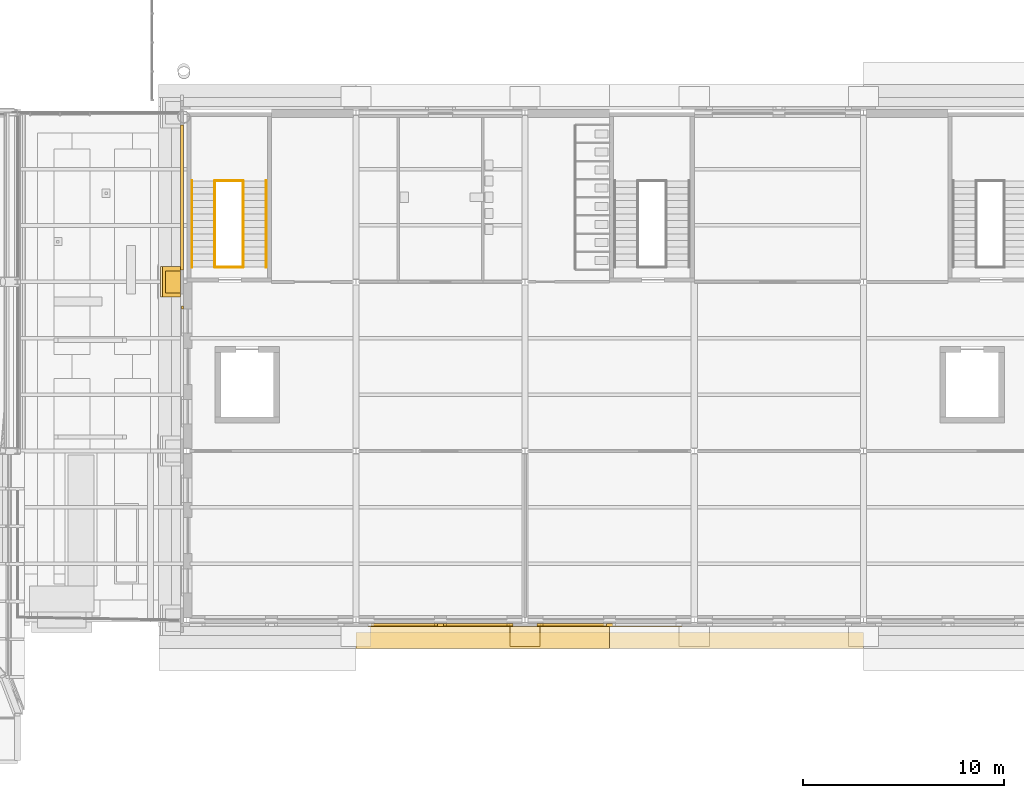
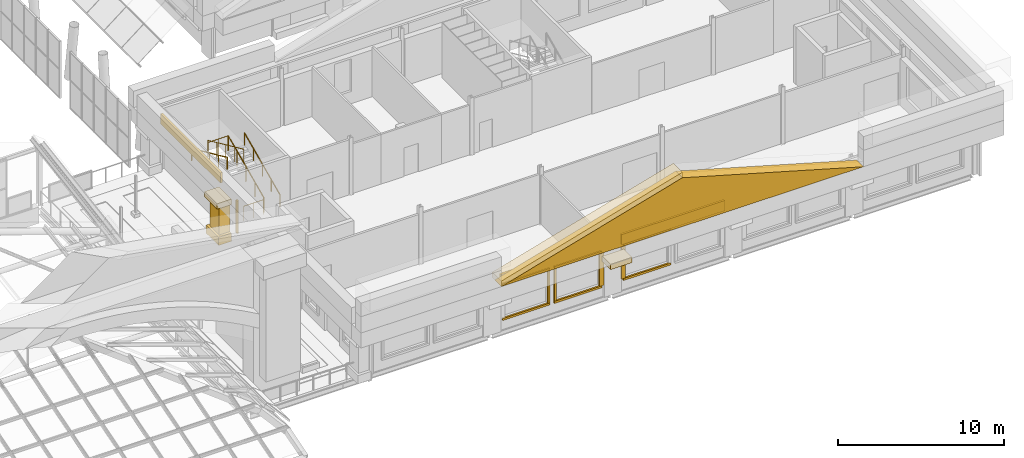
# One storey, part 60 of 76: 20 coverings, 6 railings.
"""IFC4 building model written with IfcOpenShell, lengths in metres."""

from ifc_helpers import new_model, si_unit, direction, frame, origin, origin_2d, place, context, subcontext, project, spatial, polyline, rectangle, circle, outline, extrude, material, layer, layer_set, type_object, element, save


model = new_model("IFC4")

# Units and contexts
model_context = context("Model", 3, precision=1e-05, world=origin(), true_north=direction((0.0, 1.0)))
body_context = subcontext(model_context, "Body", "Model", "MODEL_VIEW")
ifc_project = project(units=[si_unit("LENGTHUNIT", "METRE"), si_unit("AREAUNIT", "SQUARE_METRE"), si_unit("VOLUMEUNIT", "CUBIC_METRE"), si_unit("PLANEANGLEUNIT", "RADIAN"), si_unit("MASSUNIT", "GRAM", prefix="KILO")], contexts=[model_context])

# Site, building, storey
site_placement = place(None, origin())
site = spatial("IfcSite", under=ifc_project, at=site_placement, CompositionType="ELEMENT")
building_placement = place(site_placement, origin())
building = spatial("IfcBuilding", under=site, at=building_placement, Name="Sava Quay Ferry Terminal", CompositionType="ELEMENT")
storey_placement = place(building_placement, frame((0.0, 0.0, 10.800048828125)))
storey = spatial("IfcBuildingStorey", under=building, at=storey_placement, Name="L02", CompositionType="ELEMENT", Elevation=10.800048828125)

# Coverings
ifc_material_1 = material(Name="Limestone Mutalj", Category="masonry")
ifc_layer_1 = layer(ifc_material_1, 0.89990234375)
ifc_layer_set_1 = layer_set([ifc_layer_1], Name="Limestone Mutalj")
covering_type_1 = type_object("IfcCoveringType", Name="Giant-order pilaster base 1500", PredefinedType="MOLDING", material=ifc_layer_set_1)
covering_1_placement = place(storey_placement, frame((83.25, 42.0, 0.0), z_axis=(0.0, 0.0, 1.0), x_axis=(1.0, 0.0, 0.0)))
element("IfcCovering", 1, at=covering_1_placement, inside=storey, type_object=covering_type_1, Name="Giant-order pilaster base", PredefinedType="MOLDING", context=body_context, shape_type="SweptSolid", body=[
    extrude(rectangle(XDim=0.89990234375, YDim=1.5, at=origin_2d()), origin(), (0.0, 0.0, 1.0), 0.60009765625),
])
ifc_material_2 = material(Name="Limestone Mutalj", Category="masonry")
ifc_layer_2 = layer(ifc_material_2, 0.75)
ifc_layer_set_2 = layer_set([ifc_layer_2], Name="Limestone Mutalj")
covering_type_2 = type_object("IfcCoveringType", Name="Giant-order pilaster shaft 1100", PredefinedType="CLADDING", material=ifc_layer_set_2)
covering_2_placement = place(storey_placement, frame((83.324951171875, 42.0, 0.599853515625), z_axis=(0.0, 0.0, 1.0), x_axis=(1.0, 0.0, 0.0)))
element("IfcCovering", 2, at=covering_2_placement, inside=storey, type_object=covering_type_2, Name="Giant-order pilaster", PredefinedType="CLADDING", context=body_context, shape_type="SweptSolid", body=[
    extrude(rectangle(XDim=0.75, YDim=1.10009765625, at=origin_2d()), origin(), (0.0, 0.0, 1.0), 2.10009765625),
])

# Railings
ifc_material_3 = material(Name="Steel S355", Category="steel")
railing_type_1 = type_object("IfcRailingType", Name="Guard 1100", PredefinedType="GUARDRAIL", material=ifc_material_3)
railing_1_placement = place(storey_placement, frame((85.39990234375, 42.72998046875, 0.0)))
element("IfcRailing", 3, at=railing_1_placement, inside=storey, type_object=railing_type_1, Name="Guard at stair well ST-P1 L02", PredefinedType="GUARDRAIL", context=body_context, shape_type="SweptSolid", body=[
    extrude(circle(Radius=0.02392578125, at=origin_2d()), frame((0.0, 0.0, 1.076171875), z_axis=(1.0, 0.0, 0.0), x_axis=(0.0, 1.0, 0.0)), (0.0, 0.0, 1.0), 1.400146484375),
    extrude(circle(Radius=0.02099609375, at=origin_2d()), origin(), (0.0, 0.0, 1.0), 1.052001953125),
    extrude(circle(Radius=0.02099609375, at=origin_2d()), frame((0.7001953125, 0.0, 0.0)), (0.0, 0.0, 1.0), 1.052001953125),
    extrude(circle(Radius=0.02099609375, at=origin_2d()), frame((1.400146484375, 0.0, 0.0)), (0.0, 0.0, 1.0), 1.052001953125),
])
railing_2_placement = place(storey_placement, frame((86.800048828125, 42.72998046875, 0.14990234375)))
element("IfcRailing", 4, at=railing_2_placement, inside=storey, type_object=railing_type_1, Name="Guard at stair well ST-P1 L02", PredefinedType="GUARDRAIL", context=body_context, shape_type="SweptSolid", body=[
    extrude(circle(Radius=0.02392578125, at=origin_2d()), frame((0.0, 0.0, 1.076171875), z_axis=(0.0, 0.910371800137, 0.413791234219), x_axis=(-1.0, 0.0, 0.0)), (0.0, 0.0, 1.0), 4.71240234375),
    extrude(circle(Radius=0.02099609375, at=origin_2d()), origin(), (0.0, 0.0, 1.0), 1.052001953125),
    extrude(circle(Radius=0.02099609375, at=origin_2d()), frame((0.0, 1.072509765625, 0.487548828125)), (0.0, 0.0, 1.0), 1.052001953125),
    extrude(circle(Radius=0.02099609375, at=origin_2d()), frame((0.0, 2.14501953125, 0.97509765625)), (0.0, 0.0, 1.0), 1.052001953125),
    extrude(circle(Radius=0.02099609375, at=origin_2d()), frame((0.0, 3.217529296875, 1.46240234375)), (0.0, 0.0, 1.0), 1.052001953125),
    extrude(circle(Radius=0.02099609375, at=origin_2d()), frame((0.0, 4.2900390625, 1.949951171875)), (0.0, 0.0, 1.0), 1.052001953125),
])
railing_3_placement = place(storey_placement, frame((85.39990234375, 47.02001953125, 2.25)))
element("IfcRailing", 5, at=railing_3_placement, inside=storey, type_object=railing_type_1, Name="Guard at stair well ST-P1 L02", PredefinedType="GUARDRAIL", context=body_context, shape_type="SweptSolid", body=[
    extrude(circle(Radius=0.02392578125, at=origin_2d()), frame((0.0, 0.0, 1.076171875), z_axis=(0.0, -0.910371800137, 0.413791234219), x_axis=(1.0, 0.0, 0.0)), (0.0, 0.0, 1.0), 4.71240234375),
    extrude(circle(Radius=0.02099609375, at=origin_2d()), origin(), (0.0, 0.0, 1.0), 1.052001953125),
    extrude(circle(Radius=0.02099609375, at=origin_2d()), frame((0.0, -1.072509765625, 0.487548828125)), (0.0, 0.0, 1.0), 1.052001953125),
    extrude(circle(Radius=0.02099609375, at=origin_2d()), frame((0.0, -2.14501953125, 0.97509765625)), (0.0, 0.0, 1.0), 1.052001953125),
    extrude(circle(Radius=0.02099609375, at=origin_2d()), frame((0.0, -3.217529296875, 1.46240234375)), (0.0, 0.0, 1.0), 1.052001953125),
    extrude(circle(Radius=0.02099609375, at=origin_2d()), frame((0.0, -4.2900390625, 1.949951171875)), (0.0, 0.0, 1.0), 1.052001953125),
])
railing_4_placement = place(storey_placement, frame((85.39990234375, 47.02001953125, 2.099853515625)))
element("IfcRailing", 6, at=railing_4_placement, inside=storey, type_object=railing_type_1, Name="Guard at half landing ST-P1 L02", PredefinedType="GUARDRAIL", context=body_context, shape_type="SweptSolid", body=[
    extrude(circle(Radius=0.02392578125, at=origin_2d()), frame((0.0, 0.0, 1.076171875), z_axis=(1.0, 0.0, 0.0), x_axis=(0.0, 1.0, 0.0)), (0.0, 0.0, 1.0), 1.400146484375),
    extrude(circle(Radius=0.02099609375, at=origin_2d()), origin(), (0.0, 0.0, 1.0), 1.052001953125),
    extrude(circle(Radius=0.02099609375, at=origin_2d()), frame((0.7001953125, 0.0, 0.0)), (0.0, 0.0, 1.0), 1.052001953125),
    extrude(circle(Radius=0.02099609375, at=origin_2d()), frame((1.400146484375, 0.0, 0.0)), (0.0, 0.0, 1.0), 1.052001953125),
])

# Coverings
ifc_material_4 = material(Name="Limestone Mutalj", Category="masonry")
ifc_layer_3 = layer(ifc_material_4, 0.14990234375)
ifc_layer_set_3 = layer_set([ifc_layer_3], Name="Limestone Mutalj")
covering_type_3 = type_object("IfcCoveringType", Name="Limestone string course 150", PredefinedType="CLADDING", material=ifc_layer_set_3)
covering_3_placement = place(storey_placement, frame((0.0, 0.0, 3.449951171875)))
element("IfcCovering", 7, at=covering_3_placement, inside=storey, type_object=covering_type_3, Name="String course P-S", PredefinedType="CLADDING", context=body_context, shape_type="SweptSolid", body=[
    extrude(outline(polyline([(93.0, 25.0400390625), (100.199951171875, 25.0400390625), (100.199951171875, 24.889892578125), (93.0, 24.889892578125), (93.0, 25.0400390625)])), origin(), (0.0, 0.0, 1.0), 0.75),
])
covering_4_placement = place(storey_placement, frame((0.0, 0.0, 3.449951171875)))
element("IfcCovering", 8, at=covering_4_placement, inside=storey, type_object=covering_type_3, Name="String course P-S", PredefinedType="CLADDING", context=body_context, shape_type="SweptSolid", body=[
    extrude(outline(polyline([(101.39990234375, 25.0400390625), (108.60009765625, 25.0400390625), (108.60009765625, 24.889892578125), (101.39990234375, 24.889892578125), (101.39990234375, 25.0400390625)])), origin(), (0.0, 0.0, 1.0), 0.75),
])
covering_5_placement = place(storey_placement, frame((0.0, 0.0, 3.449951171875)))
element("IfcCovering", 9, at=covering_5_placement, inside=storey, type_object=covering_type_3, Name="String course P-W", PredefinedType="CLADDING", context=body_context, shape_type="SweptSolid", body=[
    extrude(outline(polyline([(83.85009765625, 42.60009765625), (83.85009765625, 49.800048828125), (83.699951171875, 49.800048828125), (83.699951171875, 42.60009765625), (83.85009765625, 42.60009765625)])), origin(), (0.0, 0.0, 1.0), 0.75),
])
ifc_material_5 = material(Name="Limestone Mutalj", Category="masonry")
ifc_layer_4 = layer(ifc_material_5, 0.800048828125)
ifc_layer_set_4 = layer_set([ifc_layer_4], Name="Limestone Mutalj")
covering_type_4 = type_object("IfcCoveringType", Name="Pediment tympanum 800", PredefinedType="CLADDING", material=ifc_layer_set_4)
covering_6_placement = place(storey_placement, frame((92.39990234375, 23.7900390625, 4.199951171875), z_axis=(0.0, -1.0, 0.0), x_axis=(1.0, 0.0, 0.0)))
element("IfcCovering", 10, at=covering_6_placement, inside=storey, type_object=covering_type_4, Name="Front pediment P S", PredefinedType="CLADDING", context=body_context, shape_type="SweptSolid", body=[
    extrude(outline(polyline([(0.0, 0.0), (25.2001953125, 0.0), (12.60009765625, 3.60009765625), (0.0, 0.0)])), origin(), (0.0, 0.0, -1.0), 0.81005859375),
])
ifc_material_6 = material(Name="Limestone Mutalj", Category="masonry")
ifc_layer_5 = layer(ifc_material_6, 1.0)
ifc_layer_set_5 = layer_set([ifc_layer_5], Name="Limestone Mutalj")
covering_type_5 = type_object("IfcCoveringType", Name="Pilaster capital block 1500", PredefinedType="MOLDING", material=ifc_layer_set_5)
covering_7_placement = place(storey_placement, frame((100.800048828125, 24.389892578125, 2.699951171875), z_axis=(0.0, 0.0, 1.0), x_axis=(1.0, 0.0, 0.0)))
element("IfcCovering", 11, at=covering_7_placement, inside=storey, type_object=covering_type_5, Name="Giant-order capital", PredefinedType="MOLDING", context=body_context, shape_type="SweptSolid", body=[
    extrude(rectangle(XDim=1.5, YDim=1.0, at=origin_2d()), origin(), (0.0, 0.0, 1.0), 0.39990234375),
])
covering_8_placement = place(storey_placement, frame((83.199951171875, 42.0, 2.699951171875), z_axis=(0.0, 0.0, 1.0), x_axis=(1.0, 0.0, 0.0)))
element("IfcCovering", 12, at=covering_8_placement, inside=storey, type_object=covering_type_5, Name="Giant-order capital", PredefinedType="MOLDING", context=body_context, shape_type="SweptSolid", body=[
    extrude(rectangle(XDim=1.0, YDim=1.5, at=origin_2d()), origin(), (0.0, 0.0, 1.0), 0.39990234375),
])
ifc_material_7 = material(Name="Limestone Mutalj", Category="masonry")
ifc_layer_6 = layer(ifc_material_7, 0.1201171875)
ifc_layer_set_6 = layer_set([ifc_layer_6], Name="Limestone Mutalj")
covering_type_6 = type_object("IfcCoveringType", Name="Plain window architrave 150", PredefinedType="MOLDING", material=ifc_layer_set_6)
covering_9_placement = place(storey_placement, frame((96.375, 24.97998046875, 0.89990234375), z_axis=(0.0, 0.0, 1.0), x_axis=(1.0, 0.0, 0.0)))
element("IfcCovering", 13, at=covering_9_placement, inside=storey, type_object=covering_type_6, Name="Plain window architrave", PredefinedType="MOLDING", context=body_context, shape_type="SweptSolid", body=[
    extrude(rectangle(XDim=0.14990234375, YDim=0.1201171875, at=origin_2d()), origin(), (0.0, 0.0, 1.0), 2.39990234375),
])
for number, where, z_axis, x_axis, name in (
    (14, (94.800048828125, 24.97998046875, 3.300048828125), (0.0, 0.0, 1.0), (1.0, 0.0, 0.0), "Plain window architrave"),
    (15, (94.800048828125, 24.97998046875, 0.75), (0.0, 0.0, 1.0), (1.0, 0.0, 0.0), "Plain window architrave"),
):
    element("IfcCovering", number, at=place(storey_placement, frame(where, z_axis=z_axis, x_axis=x_axis)), inside=storey, type_object=covering_type_6, Name=name, PredefinedType="MOLDING", context=body_context, shape_type="SweptSolid", body=[
        extrude(rectangle(XDim=3.300048828125, YDim=0.1201171875, at=origin_2d()), origin(), (0.0, 0.0, 1.0), 0.14990234375),
    ])
covering_10_placement = place(storey_placement, frame((96.824951171875, 24.97998046875, 0.89990234375), z_axis=(0.0, 0.0, 1.0), x_axis=(1.0, 0.0, 0.0)))
element("IfcCovering", 16, at=covering_10_placement, inside=storey, type_object=covering_type_6, Name="Plain window architrave", PredefinedType="MOLDING", context=body_context, shape_type="SweptSolid", body=[
    extrude(rectangle(XDim=0.14990234375, YDim=0.1201171875, at=origin_2d()), origin(), (0.0, 0.0, 1.0), 2.39990234375),
])
covering_11_placement = place(storey_placement, frame((100.050048828125, 24.97998046875, 0.89990234375), z_axis=(0.0, 0.0, 1.0), x_axis=(1.0, 0.0, 0.0)))
element("IfcCovering", 17, at=covering_11_placement, inside=storey, type_object=covering_type_6, Name="Plain window architrave", PredefinedType="MOLDING", context=body_context, shape_type="SweptSolid", body=[
    extrude(rectangle(XDim=0.300048828125, YDim=0.1201171875, at=origin_2d()), origin(), (0.0, 0.0, 1.0), 2.39990234375),
])
for number, where, z_axis, x_axis, name in (
    (18, (98.39990234375, 24.97998046875, 3.300048828125), (0.0, 0.0, 1.0), (1.0, 0.0, 0.0), "Plain window architrave"),
    (19, (98.39990234375, 24.97998046875, 0.75), (0.0, 0.0, 1.0), (1.0, 0.0, 0.0), "Plain window architrave"),
):
    element("IfcCovering", number, at=place(storey_placement, frame(where, z_axis=z_axis, x_axis=x_axis)), inside=storey, type_object=covering_type_6, Name=name, PredefinedType="MOLDING", context=body_context, shape_type="SweptSolid", body=[
        extrude(rectangle(XDim=3.300048828125, YDim=0.1201171875, at=origin_2d()), origin(), (0.0, 0.0, 1.0), 0.14990234375),
    ])
covering_12_placement = place(storey_placement, frame((101.550048828125, 24.97998046875, 0.89990234375), z_axis=(0.0, 0.0, 1.0), x_axis=(1.0, 0.0, 0.0)))
element("IfcCovering", 20, at=covering_12_placement, inside=storey, type_object=covering_type_6, Name="Plain window architrave", PredefinedType="MOLDING", context=body_context, shape_type="SweptSolid", body=[
    extrude(rectangle(XDim=0.300048828125, YDim=0.1201171875, at=origin_2d()), origin(), (0.0, 0.0, 1.0), 2.39990234375),
])
for number, where, z_axis, x_axis, name in (
    (21, (103.199951171875, 24.97998046875, 3.300048828125), (0.0, 0.0, 1.0), (1.0, 0.0, 0.0), "Plain window architrave"),
    (22, (103.199951171875, 24.97998046875, 0.75), (0.0, 0.0, 1.0), (1.0, 0.0, 0.0), "Plain window architrave"),
):
    element("IfcCovering", number, at=place(storey_placement, frame(where, z_axis=z_axis, x_axis=x_axis)), inside=storey, type_object=covering_type_6, Name=name, PredefinedType="MOLDING", context=body_context, shape_type="SweptSolid", body=[
        extrude(rectangle(XDim=3.300048828125, YDim=0.1201171875, at=origin_2d()), origin(), (0.0, 0.0, 1.0), 0.14990234375),
    ])
covering_13_placement = place(storey_placement, frame((83.7900390625, 40.72509765625, 0.89990234375), z_axis=(0.0, 0.0, 1.0), x_axis=(1.0, 0.0, 0.0)))
element("IfcCovering", 23, at=covering_13_placement, inside=storey, type_object=covering_type_6, Name="Plain window architrave", PredefinedType="MOLDING", context=body_context, shape_type="SweptSolid", body=[
    extrude(rectangle(XDim=0.1201171875, YDim=0.14990234375, at=origin_2d()), origin(), (0.0, 0.0, 1.0), 2.39990234375),
])
ifc_material_8 = material(Name="Limestone Mutalj", Category="masonry")
ifc_layer_7 = layer(ifc_material_8, 1.39990234375)
ifc_layer_set_7 = layer_set([ifc_layer_7], Name="Limestone Mutalj")
covering_type_7 = type_object("IfcCoveringType", Name="Raking cornice 500", PredefinedType="MOLDING", material=ifc_layer_set_7)
covering_14_placement = place(storey_placement, frame((92.39990234375, 23.7900390625, 4.199951171875), z_axis=(0.0, -1.0, 0.0), x_axis=(0.961522541549, 0.0, 0.27472604917)))
element("IfcCovering", 24, at=covering_14_placement, inside=storey, type_object=covering_type_7, Name="Front raking cornice P S", PredefinedType="MOLDING", context=body_context, shape_type="SweptSolid", body=[
    extrude(outline(polyline([(0.0, 0.0), (13.104318527934732, 4.440892098500626e-16), (13.214182118887152, 0.38451511793397986), (0.10986359095242128, 0.3845151179339796), (0.0, 0.0)])), origin(), (0.0, 0.0, -1.0), 1.10009765625),
])

# Railings
ifc_material_9 = material(Name="Steel S355", Category="steel")
railing_type_2 = type_object("IfcRailingType", Name="Stair handrail 900", PredefinedType="HANDRAIL", material=ifc_material_9)
railing_5_placement = place(storey_placement, frame((87.93994140625, 42.72998046875, 0.14990234375)))
element("IfcRailing", 25, at=railing_5_placement, inside=storey, type_object=railing_type_2, Name="Handrail ST-P1 L02", PredefinedType="HANDRAIL", context=body_context, shape_type="SweptSolid", body=[
    extrude(circle(Radius=0.02392578125, at=origin_2d()), frame((0.0, 0.0, 0.8759765625), z_axis=(0.0, 0.910371800137, 0.413791234219), x_axis=(-1.0, 0.0, 0.0)), (0.0, 0.0, 1.0), 4.71240234375),
    extrude(circle(Radius=0.02099609375, at=origin_2d()), origin(), (0.0, 0.0, 1.0), 0.851806640625),
    extrude(circle(Radius=0.02099609375, at=origin_2d()), frame((0.0, 1.072509765625, 0.487548828125)), (0.0, 0.0, 1.0), 0.851806640625),
    extrude(circle(Radius=0.02099609375, at=origin_2d()), frame((0.0, 2.14501953125, 0.97509765625)), (0.0, 0.0, 1.0), 0.851806640625),
    extrude(circle(Radius=0.02099609375, at=origin_2d()), frame((0.0, 3.217529296875, 1.46240234375)), (0.0, 0.0, 1.0), 0.851806640625),
    extrude(circle(Radius=0.02099609375, at=origin_2d()), frame((0.0, 4.2900390625, 1.949951171875)), (0.0, 0.0, 1.0), 0.851806640625),
])
railing_6_placement = place(storey_placement, frame((84.260009765625, 47.02001953125, 2.25)))
element("IfcRailing", 26, at=railing_6_placement, inside=storey, type_object=railing_type_2, Name="Handrail ST-P1 L02", PredefinedType="HANDRAIL", context=body_context, shape_type="SweptSolid", body=[
    extrude(circle(Radius=0.02392578125, at=origin_2d()), frame((0.0, 0.0, 0.8759765625), z_axis=(0.0, -0.910371800137, 0.413791234219), x_axis=(1.0, 0.0, 0.0)), (0.0, 0.0, 1.0), 4.71240234375),
    extrude(circle(Radius=0.02099609375, at=origin_2d()), origin(), (0.0, 0.0, 1.0), 0.851806640625),
    extrude(circle(Radius=0.02099609375, at=origin_2d()), frame((0.0, -1.072509765625, 0.487548828125)), (0.0, 0.0, 1.0), 0.851806640625),
    extrude(circle(Radius=0.02099609375, at=origin_2d()), frame((0.0, -2.14501953125, 0.97509765625)), (0.0, 0.0, 1.0), 0.851806640625),
    extrude(circle(Radius=0.02099609375, at=origin_2d()), frame((0.0, -3.217529296875, 1.46240234375)), (0.0, 0.0, 1.0), 0.851806640625),
    extrude(circle(Radius=0.02099609375, at=origin_2d()), frame((0.0, -4.2900390625, 1.949951171875)), (0.0, 0.0, 1.0), 0.851806640625),
])

save(model, "model.ifc")
